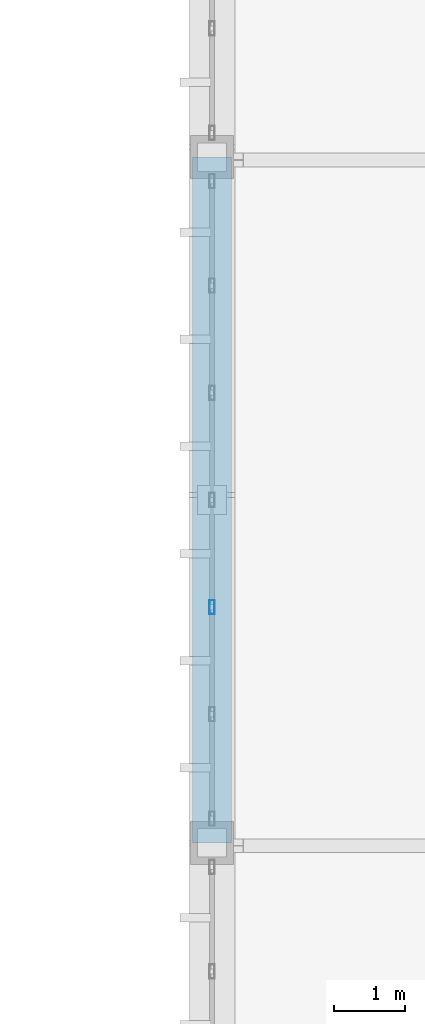
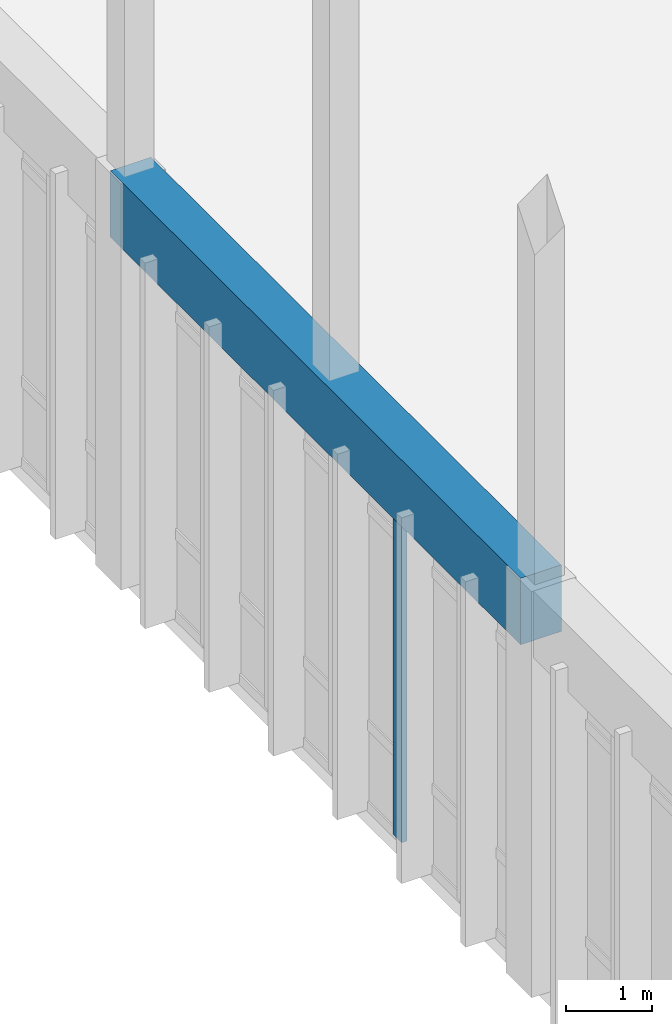
# One storey, part 45 of 236: 1 beam, 1 member, 1 element without a shape of its own.
"""IFC4 building model written with IfcOpenShell, lengths in metres."""

import ifcopenshell
import ifcopenshell.guid

model = None  # the IFC model being written
_history = None  # IfcOwnerHistory: only IFC2X3 demands one
_inside = {}  # id of a spatial element -> (the spatial element, [elements in it])
_under = {}  # id of a project, library or spatial element -> (it, [spatial elements below it])
_declared = {}  # id of a project -> (the project, [libraries it declares])
_typed = {}  # id of a type object -> (the type object, [elements of that type])
_made_of = {}  # id of a material, layer set ... -> (it, [elements and type objects made of it])


def new_model(schema):
    """Start an empty IFC model of exactly this schema.

    Asked for "IFC4X3", IfcOpenShell would pick the latest addendum, in which some entities
    have other attributes; the version numbers below select the first issue.
    IFC2X3 requires an IfcOwnerHistory on every rooted entity: one is made here for all.
    """
    global model, _history
    if schema == "IFC4X3":
        model = ifcopenshell.file(schema_version=(4, 3, 0, 0))
    else:
        model = ifcopenshell.file(schema=schema)
    _inside.clear()
    _under.clear()
    _declared.clear()
    _typed.clear()
    _made_of.clear()
    _history = None
    if model.schema == "IFC2X3":
        org = make("IfcOrganization", Name="unknown")
        user = make(
            "IfcPersonAndOrganization",
            ThePerson=make("IfcPerson", FamilyName="unknown"),
            TheOrganization=org,
        )
        app = make(
            "IfcApplication",
            ApplicationDeveloper=org,
            Version="unknown",
            ApplicationFullName="unknown",
            ApplicationIdentifier="unknown",
        )
        _history = make(
            "IfcOwnerHistory",
            OwningUser=user,
            OwningApplication=app,
            ChangeAction="ADDED",
            CreationDate=0,
        )
    return model


def make(cls, **values):
    """One entity of the class cls with the attributes given. An attribute that is None is left unset."""
    return model.create_entity(
        cls, **{name: value for name, value in values.items() if value is not None}
    )


def rooted(cls, **values):
    """An entity with a GlobalId (a new one), such as an element, a storey or a relation."""
    return make(cls, GlobalId=ifcopenshell.guid.new(), OwnerHistory=_history, **values)


def si_unit(unit_type, name, prefix=None):
    """IfcSIUnit, for example si_unit("LENGTHUNIT", "METRE", prefix="MILLI")."""
    return make("IfcSIUnit", UnitType=unit_type, Prefix=prefix, Name=name)


def assignment(units):
    """IfcUnitAssignment: the units of a project."""
    return None if units is None else make("IfcUnitAssignment", Units=units)


def point(xyz):
    """IfcCartesianPoint."""
    return None if xyz is None else make("IfcCartesianPoint", Coordinates=xyz)


def direction(xyz):
    """IfcDirection."""
    return None if xyz is None else make("IfcDirection", DirectionRatios=xyz)


def frame(location, z_axis=None, x_axis=None):
    """IfcAxis2Placement3D, a coordinate frame: its origin and axes. An axis left out is left unset."""
    return make(
        "IfcAxis2Placement3D",
        Location=point(location),
        Axis=direction(z_axis),
        RefDirection=direction(x_axis),
    )


def frame_2d(location, x_axis=None):
    """IfcAxis2Placement2D, a coordinate frame in the plane: its origin and x axis."""
    return make(
        "IfcAxis2Placement2D", Location=point(location), RefDirection=direction(x_axis)
    )


def origin():
    """The frame at (0, 0, 0) with its axes left unset."""
    return frame((0.0, 0.0, 0.0))


def origin_2d():
    """The frame at (0, 0) in the plane with its x axis left unset."""
    return frame_2d((0.0, 0.0))


def place(relative_to, where):
    """IfcLocalPlacement: puts the frame where relative to a parent placement (None: the world)."""
    return make(
        "IfcLocalPlacement", PlacementRelTo=relative_to, RelativePlacement=where
    )


def context(
    kind, dimensions, precision=None, world=None, true_north=None, identifier=None
):
    """IfcGeometricRepresentationContext, for example the 3D "Model" context."""
    return make(
        "IfcGeometricRepresentationContext",
        ContextIdentifier=identifier,
        ContextType=kind,
        CoordinateSpaceDimension=dimensions,
        Precision=precision,
        WorldCoordinateSystem=world,
        TrueNorth=true_north,
    )


def subcontext(parent, identifier, kind, view, scale=None):
    """IfcGeometricRepresentationSubContext, for example "Body" below "Model"."""
    return make(
        "IfcGeometricRepresentationSubContext",
        ContextIdentifier=identifier,
        ContextType=kind,
        ParentContext=parent,
        TargetScale=scale,
        TargetView=view,
    )


def project(units=None, contexts=None):
    """IfcProject with its units and contexts."""
    return rooted(
        "IfcProject",
        Name="project",
        RepresentationContexts=contexts,
        UnitsInContext=assignment(units),
    )


def spatial(cls, under=None, at=None, **own):
    """A site, building, storey or space (cls), placed at a placement, below another one or the project."""
    s = rooted(cls, ObjectPlacement=at, **own)
    if under is not None:
        _under.setdefault(under.id(), (under, []))[1].append(s)
    return s


def profile(cls, at=None, kind="AREA", **sizes):
    """A parametric profile (cls). Its sizes go by their IFC names, for example OverallWidth=200.0."""
    return make(cls, ProfileType=kind, Position=at, **sizes)


def rectangle(**sizes):
    """IfcRectangleProfileDef."""
    return profile("IfcRectangleProfileDef", **sizes)


def hollow_rectangle(**sizes):
    """IfcRectangleHollowProfileDef."""
    return profile("IfcRectangleHollowProfileDef", **sizes)


def extrude(swept, where, along, depth):
    """IfcExtrudedAreaSolid: the profile swept, set in the frame where, extruded along a direction by depth."""
    return make(
        "IfcExtrudedAreaSolid",
        SweptArea=swept,
        Position=where,
        ExtrudedDirection=direction(along),
        Depth=depth,
    )


def shape(context_of_items, identifier, shape_type, items):
    """IfcShapeRepresentation: the items that make up one representation, for example the "Body"."""
    return make(
        "IfcShapeRepresentation",
        ContextOfItems=context_of_items,
        RepresentationIdentifier=identifier,
        RepresentationType=shape_type,
        Items=items,
    )


def material(Name=None, Category=None):
    """IfcMaterial."""
    return make("IfcMaterial", Name=Name, Category=Category)


def layer(
    of_material, thickness, ventilated=None, Name=None, Category=None, Priority=None
):
    """IfcMaterialLayer: one layer of a wall or slab, of a material (None: an air gap)."""
    return make(
        "IfcMaterialLayer",
        Material=of_material,
        LayerThickness=thickness,
        IsVentilated=ventilated,
        Name=Name,
        Category=Category,
        Priority=Priority,
    )


def layer_set(layers, Name=None):
    """IfcMaterialLayerSet."""
    return make("IfcMaterialLayerSet", MaterialLayers=layers, LayerSetName=Name)


def material_profile(
    of_material, cross_section, Name=None, Category=None, Priority=None
):
    """IfcMaterialProfile: a cross section and its material."""
    return make(
        "IfcMaterialProfile",
        Name=Name,
        Material=of_material,
        Profile=cross_section,
        Priority=Priority,
        Category=Category,
    )


def profile_set(profiles, Name=None, composite=None):
    """IfcMaterialProfileSet."""
    return make(
        "IfcMaterialProfileSet",
        Name=Name,
        MaterialProfiles=profiles,
        CompositeProfile=composite,
    )


def made_of(thing, what):
    """Note that an element or type object is made of a material, layer set ...; save() writes the relation."""
    if what is not None:
        _made_of.setdefault(what.id(), (what, []))[1].append(thing)
    return thing


def type_object(cls, material=None, **own):
    """A type object (cls), such as IfcWallType, which elements share."""
    return made_of(rooted(cls, **own), material)


def element(
    cls,
    number,
    at=None,
    inside=None,
    cuts=None,
    type_object=None,
    material=None,
    context=None,
    identifier="Body",
    shape_type=None,
    held_by="IfcProductDefinitionShape",
    body=None,
    shapes=None,
    **own,
):
    """One element of the class cls, such as IfcWall. Its Tag is "e" and its number.

    at: its placement. inside: the storey or other place that contains it. cuts: it is an
    opening in that element (IfcRelVoidsElement). A single representation is given by context,
    identifier, shape_type and body (its items); several are given by shapes. held_by: the class
    of the entity that holds the representations. save() writes the other relations.
    """
    e = rooted(cls, Tag="e%d" % number, ObjectPlacement=at, **own)
    if body is not None:
        shapes = [shape(context, identifier, shape_type, body)]
    if shapes is not None:
        e.Representation = make(held_by, Representations=shapes)
    if inside is not None:
        _inside.setdefault(inside.id(), (inside, []))[1].append(e)
    if cuts is not None:
        rooted(
            "IfcRelVoidsElement", RelatingBuildingElement=cuts, RelatedOpeningElement=e
        )
    if type_object is not None:
        _typed.setdefault(type_object.id(), (type_object, []))[1].append(e)
    return made_of(e, material)


def aggregate(whole, parts):
    """IfcRelAggregates: a whole, such as a stair, and the parts it consists of."""
    return rooted("IfcRelAggregates", RelatingObject=whole, RelatedObjects=parts)


def save(model, path):
    """Write the relations noted so far, then the file.

    IfcRelAggregates (storeys below a building ...), IfcRelContainedInSpatialStructure (elements
    in a storey), IfcRelDefinesByType, IfcRelAssociatesMaterial and IfcRelDeclares: one each for
    every whole, place, type object, material and project.
    """
    for whole, parts in _under.values():
        aggregate(whole, parts)
    for where, things in _inside.values():
        rooted(
            "IfcRelContainedInSpatialStructure",
            RelatedElements=things,
            RelatingStructure=where,
        )
    for kind, things in _typed.values():
        rooted("IfcRelDefinesByType", RelatedObjects=things, RelatingType=kind)
    for what, things in _made_of.values():
        rooted("IfcRelAssociatesMaterial", RelatedObjects=things, RelatingMaterial=what)
    for by, libraries in _declared.values():
        rooted("IfcRelDeclares", RelatingContext=by, RelatedDefinitions=libraries)
    model.write(path)


model = new_model("IFC4")

# Units and contexts
model_context = context("Model", 3, precision=1e-05, world=origin(), true_north=direction((0.0, 1.0)))
body_context = subcontext(model_context, "Body", "Model", "MODEL_VIEW")
ifc_project = project(units=[si_unit("LENGTHUNIT", "METRE"), si_unit("AREAUNIT", "SQUARE_METRE"), si_unit("VOLUMEUNIT", "CUBIC_METRE"), si_unit("PLANEANGLEUNIT", "RADIAN"), si_unit("MASSUNIT", "GRAM", prefix="KILO")], contexts=[model_context])

# Site, building, storey
site_placement = place(None, origin())
site = spatial("IfcSite", under=ifc_project, at=site_placement, CompositionType="ELEMENT")
building_placement = place(site_placement, origin())
building = spatial("IfcBuilding", under=site, at=building_placement, Name="Pandanus Reach Market Hall", CompositionType="ELEMENT")
storey_placement = place(building_placement, frame((0.0, 0.0, 5.39990234375)))
storey = spatial("IfcBuildingStorey", under=building, at=storey_placement, Name="L01", CompositionType="ELEMENT", Elevation=5.39990234375)

# Beam
ifc_material_1 = material(Name="Concrete N50 (50 MPa)", Category="concrete")
ifc_material_profile_1 = material_profile(ifc_material_1, rectangle(XDim=0.550048828125, YDim=0.949951171875, at=origin_2d()), Name="RC550x950", Category="LoadBearing")
ifc_profile_set_1 = profile_set([ifc_material_profile_1], Name="Concrete N50 (50 MPa)")
beam_type = type_object("IfcBeamType", Name="BM-RC550-E", PredefinedType="BEAM", material=ifc_profile_set_1)
beam_placement = place(storey_placement, frame((48.0, 57.60009765625, 5.3251953125), z_axis=(0.0, 1.0, 0.0), x_axis=(-1.0, 0.0, 0.0)))
element("IfcBeam", 1, at=beam_placement, inside=storey, type_object=beam_type, Name="Parabolic arch tie girder A1.4", PredefinedType="BEAM", context=body_context, shape_type="SweptSolid", body=[
    extrude(rectangle(XDim=0.550048828125, YDim=0.949951171875, at=origin_2d()), origin(), (0.0, 0.0, 1.0), 9.599853515625),
])

# Curtain wall, member
ifc_material_2 = material(Name="Bronze anodised aluminium and low-E glass", Category="aluminium")
ifc_layer = layer(ifc_material_2, 0.199951171875, Name="CW-05")
ifc_layer_set = layer_set([ifc_layer], Name="Bronze anodised aluminium and low-E glass")
curtain_wall_type = type_object("IfcCurtainWallType", Name="CW-05", PredefinedType="NOTDEFINED", material=ifc_layer_set)
curtain_wall_placement = place(storey_placement, origin())
curtain_wall = element("IfcCurtainWall", 2, at=curtain_wall_placement, inside=storey, type_object=curtain_wall_type, Name="Glazed curtain wall CW-05 CW-0029", PredefinedType="NOTDEFINED")
ifc_material_3 = material(Name="Bronze anodised aluminium", Category="aluminium")
ifc_material_profile_2 = material_profile(ifc_material_3, hollow_rectangle(XDim=0.074951171875, YDim=0.199951171875, WallThickness=0.00439453125, at=origin_2d()), Name="ALU75x200", Category="LoadBearing")
ifc_profile_set_2 = profile_set([ifc_material_profile_2], Name="Bronze anodised aluminium")
member_type = type_object("IfcMemberType", Name="CW-M2", PredefinedType="MULLION", material=ifc_profile_set_2)
member_placement = place(storey_placement, frame((48.0, 60.89990234375, 0.0), z_axis=(0.0, 0.0, 1.0), x_axis=(-1.0, 0.0, 0.0)))
member = element("IfcMember", 3, at=member_placement, type_object=member_type, Name="CW-05 mullion 3", PredefinedType="MULLION", context=body_context, shape_type="SweptSolid", body=[
    extrude(hollow_rectangle(XDim=0.074951171875, YDim=0.199951171875, WallThickness=0.00439453125, at=origin_2d()), origin(), (0.0, 0.0, 1.0), 5.2001953125),
])
aggregate(curtain_wall, [member])

save(model, "model.ifc")
